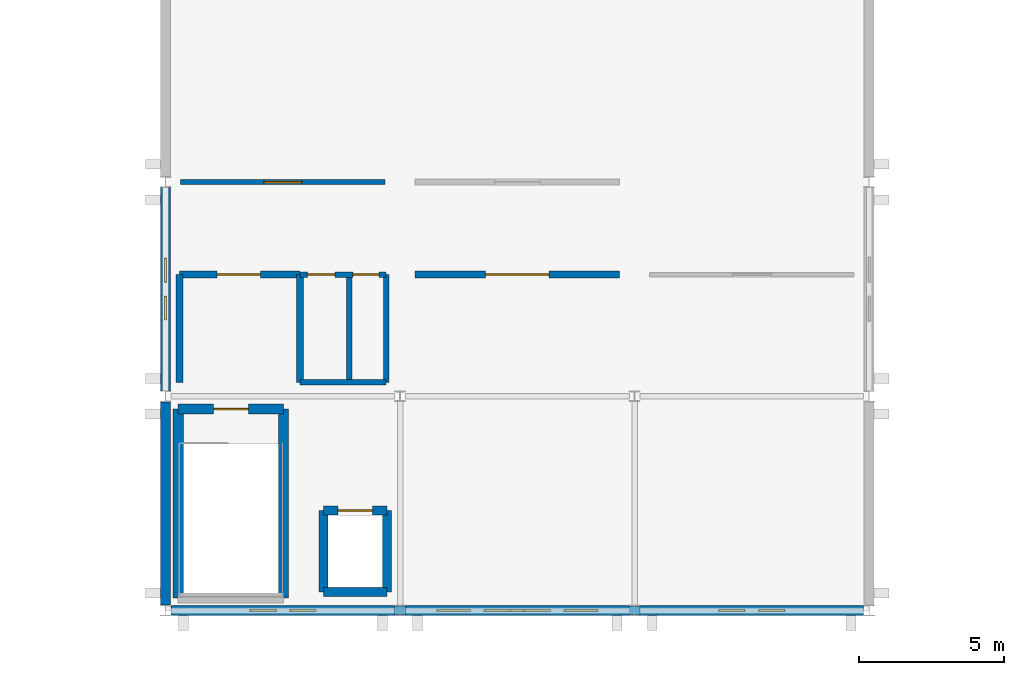
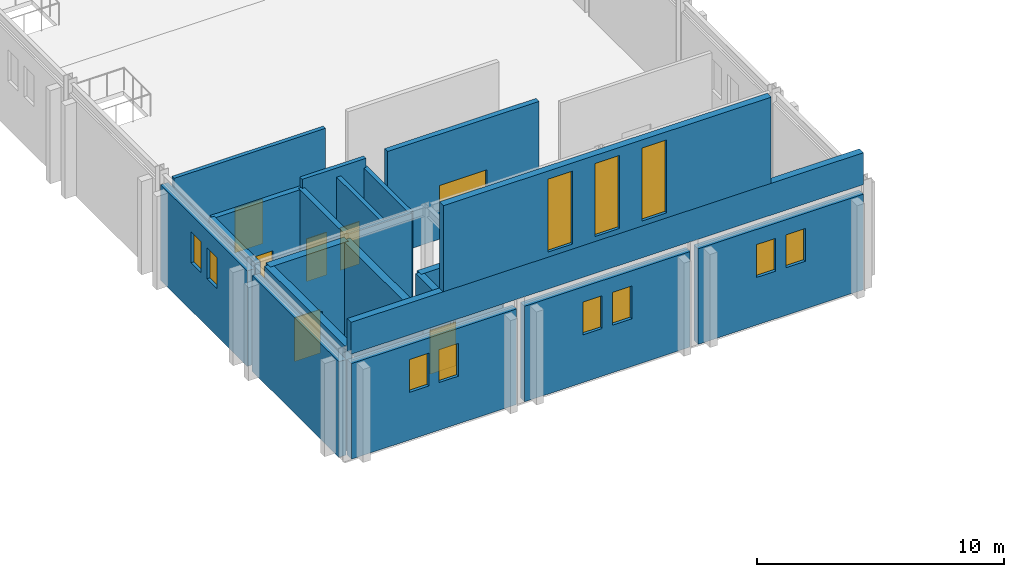
# One storey, part 6 of 10: 23 walls, 11 windows, 7 doors, 18 openings.
"""IFC4 building model written with IfcOpenShell, lengths in metres."""

import ifcopenshell
import ifcopenshell.guid

model = None  # the IFC model being written
_history = None  # IfcOwnerHistory: only IFC2X3 demands one
_inside = {}  # id of a spatial element -> (the spatial element, [elements in it])
_under = {}  # id of a project, library or spatial element -> (it, [spatial elements below it])
_declared = {}  # id of a project -> (the project, [libraries it declares])
_typed = {}  # id of a type object -> (the type object, [elements of that type])
_made_of = {}  # id of a material, layer set ... -> (it, [elements and type objects made of it])


def new_model(schema):
    """Start an empty IFC model of exactly this schema.

    Asked for "IFC4X3", IfcOpenShell would pick the latest addendum, in which some entities
    have other attributes; the version numbers below select the first issue.
    IFC2X3 requires an IfcOwnerHistory on every rooted entity: one is made here for all.
    """
    global model, _history
    if schema == "IFC4X3":
        model = ifcopenshell.file(schema_version=(4, 3, 0, 0))
    else:
        model = ifcopenshell.file(schema=schema)
    _inside.clear()
    _under.clear()
    _declared.clear()
    _typed.clear()
    _made_of.clear()
    _history = None
    if model.schema == "IFC2X3":
        org = make("IfcOrganization", Name="unknown")
        user = make(
            "IfcPersonAndOrganization",
            ThePerson=make("IfcPerson", FamilyName="unknown"),
            TheOrganization=org,
        )
        app = make(
            "IfcApplication",
            ApplicationDeveloper=org,
            Version="unknown",
            ApplicationFullName="unknown",
            ApplicationIdentifier="unknown",
        )
        _history = make(
            "IfcOwnerHistory",
            OwningUser=user,
            OwningApplication=app,
            ChangeAction="ADDED",
            CreationDate=0,
        )
    return model


def make(cls, **values):
    """One entity of the class cls with the attributes given. An attribute that is None is left unset."""
    return model.create_entity(
        cls, **{name: value for name, value in values.items() if value is not None}
    )


def rooted(cls, **values):
    """An entity with a GlobalId (a new one), such as an element, a storey or a relation."""
    return make(cls, GlobalId=ifcopenshell.guid.new(), OwnerHistory=_history, **values)


def si_unit(unit_type, name, prefix=None):
    """IfcSIUnit, for example si_unit("LENGTHUNIT", "METRE", prefix="MILLI")."""
    return make("IfcSIUnit", UnitType=unit_type, Prefix=prefix, Name=name)


def assignment(units):
    """IfcUnitAssignment: the units of a project."""
    return None if units is None else make("IfcUnitAssignment", Units=units)


def point(xyz):
    """IfcCartesianPoint."""
    return None if xyz is None else make("IfcCartesianPoint", Coordinates=xyz)


def direction(xyz):
    """IfcDirection."""
    return None if xyz is None else make("IfcDirection", DirectionRatios=xyz)


def frame(location, z_axis=None, x_axis=None):
    """IfcAxis2Placement3D, a coordinate frame: its origin and axes. An axis left out is left unset."""
    return make(
        "IfcAxis2Placement3D",
        Location=point(location),
        Axis=direction(z_axis),
        RefDirection=direction(x_axis),
    )


def frame_2d(location, x_axis=None):
    """IfcAxis2Placement2D, a coordinate frame in the plane: its origin and x axis."""
    return make(
        "IfcAxis2Placement2D", Location=point(location), RefDirection=direction(x_axis)
    )


def origin():
    """The frame at (0, 0, 0) with its axes left unset."""
    return frame((0.0, 0.0, 0.0))


def place(relative_to, where):
    """IfcLocalPlacement: puts the frame where relative to a parent placement (None: the world)."""
    return make(
        "IfcLocalPlacement", PlacementRelTo=relative_to, RelativePlacement=where
    )


def context(
    kind, dimensions, precision=None, world=None, true_north=None, identifier=None
):
    """IfcGeometricRepresentationContext, for example the 3D "Model" context."""
    return make(
        "IfcGeometricRepresentationContext",
        ContextIdentifier=identifier,
        ContextType=kind,
        CoordinateSpaceDimension=dimensions,
        Precision=precision,
        WorldCoordinateSystem=world,
        TrueNorth=true_north,
    )


def subcontext(parent, identifier, kind, view, scale=None):
    """IfcGeometricRepresentationSubContext, for example "Body" below "Model"."""
    return make(
        "IfcGeometricRepresentationSubContext",
        ContextIdentifier=identifier,
        ContextType=kind,
        ParentContext=parent,
        TargetScale=scale,
        TargetView=view,
    )


def project(units=None, contexts=None):
    """IfcProject with its units and contexts."""
    return rooted(
        "IfcProject",
        Name="project",
        RepresentationContexts=contexts,
        UnitsInContext=assignment(units),
    )


def spatial(cls, under=None, at=None, **own):
    """A site, building, storey or space (cls), placed at a placement, below another one or the project."""
    s = rooted(cls, ObjectPlacement=at, **own)
    if under is not None:
        _under.setdefault(under.id(), (under, []))[1].append(s)
    return s


def profile(cls, at=None, kind="AREA", **sizes):
    """A parametric profile (cls). Its sizes go by their IFC names, for example OverallWidth=200.0."""
    return make(cls, ProfileType=kind, Position=at, **sizes)


def rectangle(**sizes):
    """IfcRectangleProfileDef."""
    return profile("IfcRectangleProfileDef", **sizes)


def extrude(swept, where, along, depth):
    """IfcExtrudedAreaSolid: the profile swept, set in the frame where, extruded along a direction by depth."""
    return make(
        "IfcExtrudedAreaSolid",
        SweptArea=swept,
        Position=where,
        ExtrudedDirection=direction(along),
        Depth=depth,
    )


def shape(context_of_items, identifier, shape_type, items):
    """IfcShapeRepresentation: the items that make up one representation, for example the "Body"."""
    return make(
        "IfcShapeRepresentation",
        ContextOfItems=context_of_items,
        RepresentationIdentifier=identifier,
        RepresentationType=shape_type,
        Items=items,
    )


def material(Name=None, Category=None):
    """IfcMaterial."""
    return make("IfcMaterial", Name=Name, Category=Category)


def layer(
    of_material, thickness, ventilated=None, Name=None, Category=None, Priority=None
):
    """IfcMaterialLayer: one layer of a wall or slab, of a material (None: an air gap)."""
    return make(
        "IfcMaterialLayer",
        Material=of_material,
        LayerThickness=thickness,
        IsVentilated=ventilated,
        Name=Name,
        Category=Category,
        Priority=Priority,
    )


def layer_set(layers, Name=None):
    """IfcMaterialLayerSet."""
    return make("IfcMaterialLayerSet", MaterialLayers=layers, LayerSetName=Name)


def made_of(thing, what):
    """Note that an element or type object is made of a material, layer set ...; save() writes the relation."""
    if what is not None:
        _made_of.setdefault(what.id(), (what, []))[1].append(thing)
    return thing


def type_object(cls, material=None, **own):
    """A type object (cls), such as IfcWallType, which elements share."""
    return made_of(rooted(cls, **own), material)


def element(
    cls,
    number,
    at=None,
    inside=None,
    cuts=None,
    type_object=None,
    material=None,
    context=None,
    identifier="Body",
    shape_type=None,
    held_by="IfcProductDefinitionShape",
    body=None,
    shapes=None,
    **own,
):
    """One element of the class cls, such as IfcWall. Its Tag is "e" and its number.

    at: its placement. inside: the storey or other place that contains it. cuts: it is an
    opening in that element (IfcRelVoidsElement). A single representation is given by context,
    identifier, shape_type and body (its items); several are given by shapes. held_by: the class
    of the entity that holds the representations. save() writes the other relations.
    """
    e = rooted(cls, Tag="e%d" % number, ObjectPlacement=at, **own)
    if body is not None:
        shapes = [shape(context, identifier, shape_type, body)]
    if shapes is not None:
        e.Representation = make(held_by, Representations=shapes)
    if inside is not None:
        _inside.setdefault(inside.id(), (inside, []))[1].append(e)
    if cuts is not None:
        rooted(
            "IfcRelVoidsElement", RelatingBuildingElement=cuts, RelatedOpeningElement=e
        )
    if type_object is not None:
        _typed.setdefault(type_object.id(), (type_object, []))[1].append(e)
    return made_of(e, material)


def fill(opening, filler):
    """IfcRelFillsElement: the door or window that sits in an opening."""
    return rooted(
        "IfcRelFillsElement",
        RelatingOpeningElement=opening,
        RelatedBuildingElement=filler,
    )


def aggregate(whole, parts):
    """IfcRelAggregates: a whole, such as a stair, and the parts it consists of."""
    return rooted("IfcRelAggregates", RelatingObject=whole, RelatedObjects=parts)


def save(model, path):
    """Write the relations noted so far, then the file.

    IfcRelAggregates (storeys below a building ...), IfcRelContainedInSpatialStructure (elements
    in a storey), IfcRelDefinesByType, IfcRelAssociatesMaterial and IfcRelDeclares: one each for
    every whole, place, type object, material and project.
    """
    for whole, parts in _under.values():
        aggregate(whole, parts)
    for where, things in _inside.values():
        rooted(
            "IfcRelContainedInSpatialStructure",
            RelatedElements=things,
            RelatingStructure=where,
        )
    for kind, things in _typed.values():
        rooted("IfcRelDefinesByType", RelatedObjects=things, RelatingType=kind)
    for what, things in _made_of.values():
        rooted("IfcRelAssociatesMaterial", RelatedObjects=things, RelatingMaterial=what)
    for by, libraries in _declared.values():
        rooted("IfcRelDeclares", RelatingContext=by, RelatedDefinitions=libraries)
    model.write(path)


model = new_model("IFC4")

# Units and contexts
model_context = context("Model", 3, precision=1e-05, world=origin(), true_north=direction((0.0, 1.0)))
body_context = subcontext(model_context, "Body", "Model", "MODEL_VIEW")
ifc_project = project(units=[si_unit("LENGTHUNIT", "METRE"), si_unit("AREAUNIT", "SQUARE_METRE"), si_unit("VOLUMEUNIT", "CUBIC_METRE"), si_unit("PLANEANGLEUNIT", "RADIAN"), si_unit("MASSUNIT", "GRAM", prefix="KILO")], contexts=[model_context])

# Site, building, storey
site_placement = place(None, origin())
site = spatial("IfcSite", under=ifc_project, at=site_placement, CompositionType="ELEMENT")
building_placement = place(site_placement, origin())
building = spatial("IfcBuilding", under=site, at=building_placement, Name="Cimatlan Art Gallery", CompositionType="ELEMENT")
storey_placement = place(building_placement, frame((0.0, 0.0, 21.0)))
storey = spatial("IfcBuildingStorey", under=building, at=storey_placement, Name="L05", CompositionType="ELEMENT", Elevation=21.0)

# Walls
ifc_material_1 = material(Name="Concrete C40/50", Category="concrete")
ifc_layer_1 = layer(ifc_material_1, 0.31005859375)
ifc_layer_set_1 = layer_set([ifc_layer_1], Name="Concrete C40/50")
wall_type_1 = type_object("IfcWallType", Name="W-CORE-310", PredefinedType="SHEAR", material=ifc_layer_set_1)
wall_1_placement = place(storey_placement, frame((80.35009765625, 24.550048828125, 0.0), z_axis=(0.0, 0.0, 1.0), x_axis=(0.0, 1.0, 0.0)))
element("IfcWall", 1, at=wall_1_placement, inside=storey, type_object=wall_type_1, Name="WL-SHFT-C3-L05-LW", PredefinedType="SHEAR", context=body_context, shape_type="SweptSolid", body=[
    extrude(rectangle(XDim=2.800048828125, YDim=0.31005859375, at=frame_2d((1.39990234375, 0.0))), origin(), (0.0, 0.0, 1.0), 5.18505859375),
])
wall_2_placement = place(storey_placement, frame((80.35009765625, 24.550048828125, 0.0), z_axis=(0.0, 0.0, 1.0), x_axis=(1.0, 0.0, 0.0)))
element("IfcWall", 2, at=wall_2_placement, inside=storey, type_object=wall_type_1, Name="WL-SHFT-C3-L05-LS", PredefinedType="SHEAR", context=body_context, shape_type="SweptSolid", body=[
    extrude(rectangle(XDim=2.199951171875, YDim=0.31005859375, at=frame_2d((1.10009765625, 0.0))), origin(), (0.0, 0.0, 1.0), 5.18505859375),
])
wall_3_placement = place(storey_placement, frame((82.550048828125, 24.550048828125, 0.0), z_axis=(0.0, 0.0, 1.0), x_axis=(0.0, 1.0, 0.0)))
element("IfcWall", 3, at=wall_3_placement, inside=storey, type_object=wall_type_1, Name="WL-SHFT-C3-L05-LE", PredefinedType="SHEAR", context=body_context, shape_type="SweptSolid", body=[
    extrude(rectangle(XDim=2.800048828125, YDim=0.31005859375, at=frame_2d((1.39990234375, 0.0))), origin(), (0.0, 0.0, 1.0), 5.18505859375),
])

# Wall, opening, door
wall_4_placement = place(storey_placement, frame((80.35009765625, 27.35009765625, 0.0), z_axis=(0.0, 0.0, 1.0), x_axis=(1.0, 0.0, 0.0)))
wall_4 = element("IfcWall", 4, at=wall_4_placement, inside=storey, type_object=wall_type_1, Name="WL-SHFT-C3-L05-LN", PredefinedType="SHEAR", context=body_context, shape_type="SweptSolid", body=[
    extrude(rectangle(XDim=2.199951171875, YDim=0.31005859375, at=frame_2d((1.10009765625, 0.0))), origin(), (0.0, 0.0, 1.0), 5.18505859375),
])
opening_1_placement = place(wall_4_placement, frame((0.5, 0.0, 0.0)))
opening_1 = element("IfcOpeningElement", 5, at=opening_1_placement, cuts=wall_4, Name="Opening LD-C3-L05", PredefinedType="OPENING", context=body_context, shape_type="SweptSolid", body=[
    extrude(rectangle(XDim=1.199951171875, YDim=2.14990234375, at=frame_2d((0.60009765625, 1.074951171875))), frame((0.0, 0.1650390625, 0.0), z_axis=(0.0, -1.0, 0.0), x_axis=(1.0, 0.0, 0.0)), (0.0, 0.0, 1.0), 0.330078125),
])
ifc_material_2 = material(Name="Fire-rated sliding firefighting lift landing door")
door_type_1 = type_object("IfcDoorType", Name="LD-FF-1200", OperationType="NOTDEFINED", PredefinedType="DOOR", material=ifc_material_2)
door_1_placement = place(opening_1_placement, origin())
door_1 = element("IfcDoor", 6, at=door_1_placement, inside=storey, type_object=door_type_1, Name="LD-FFL-02-L05", OperationType="SLIDING_TO_LEFT", OverallHeight=2.14990234375, OverallWidth=1.199951171875, PredefinedType="DOOR", context=body_context, shape_type="SweptSolid", body=[
    extrude(rectangle(XDim=1.199951171875, YDim=2.14990234375, at=frame_2d((0.60009765625, 1.074951171875))), frame((0.0, 0.02490234375, 0.0), z_axis=(0.0, -1.0, 0.0), x_axis=(1.0, 0.0, 0.0)), (0.0, 0.0, 1.0), 0.050048828125),
])
fill(opening_1, door_1)

# Walls
ifc_layer_2 = layer(ifc_material_1, 0.35009765625)
ifc_layer_set_2 = layer_set([ifc_layer_2], Name="Concrete C40/50")
wall_type_2 = type_object("IfcWallType", Name="W-CORE-350", PredefinedType="SHEAR", material=ifc_layer_set_2)
for number, where, z_axis, x_axis, name in (
    (7, (75.340087890625, 24.340087890625, 0.0), (0.0, 0.0, 1.0), (0.0, 1.0, 0.0), "WL-CORE-C3-L05-SW"),
    (8, (78.97998046875, 24.340087890625, 0.0), (0.0, 0.0, 1.0), (0.0, 1.0, 0.0), "WL-CORE-C3-L05-SE"),
):
    element("IfcWall", number, at=place(storey_placement, frame(where, z_axis=z_axis, x_axis=x_axis)), inside=storey, type_object=wall_type_2, Name=name, PredefinedType="SHEAR", context=body_context, shape_type="SweptSolid", body=[
        extrude(rectangle(XDim=6.52001953125, YDim=0.35009765625, at=frame_2d((3.260009765625, 0.0))), origin(), (0.0, 0.0, 1.0), 5.18505859375),
    ])

# Wall, opening, door
wall_5_placement = place(storey_placement, frame((75.340087890625, 30.860107421875, 0.0), z_axis=(0.0, 0.0, 1.0), x_axis=(1.0, 0.0, 0.0)))
wall_5 = element("IfcWall", 9, at=wall_5_placement, inside=storey, type_object=wall_type_2, Name="WL-CORE-C3-L05-SN", PredefinedType="SHEAR", context=body_context, shape_type="SweptSolid", body=[
    extrude(rectangle(XDim=3.639892578125, YDim=0.35009765625, at=frame_2d((1.81982421875, 0.0))), origin(), (0.0, 0.0, 1.0), 5.18505859375),
])
opening_2_placement = place(wall_5_placement, frame((1.219970703125, 0.0, 0.0)))
opening_2 = element("IfcOpeningElement", 10, at=opening_2_placement, cuts=wall_5, Name="Opening FD-C3-L05", PredefinedType="OPENING", context=body_context, shape_type="SweptSolid", body=[
    extrude(rectangle(XDim=1.199951171875, YDim=2.14990234375, at=frame_2d((0.60009765625, 1.074951171875))), frame((0.0, 0.18505859375, 0.0), z_axis=(0.0, -1.0, 0.0), x_axis=(1.0, 0.0, 0.0)), (0.0, 0.0, 1.0), 0.3701171875),
])
ifc_material_3 = material(Name="Fire-resisting steel acoustic stair door", Category="steel")
door_type_2 = type_object("IfcDoorType", Name="FD-ST-1200", OperationType="NOTDEFINED", PredefinedType="DOOR", material=ifc_material_3)
door_2_placement = place(opening_2_placement, origin())
door_2 = element("IfcDoor", 11, at=door_2_placement, inside=storey, type_object=door_type_2, Name="DR-C3-L05-ST", OperationType="SINGLE_SWING_LEFT", OverallHeight=2.14990234375, OverallWidth=1.199951171875, PredefinedType="DOOR", context=body_context, shape_type="SweptSolid", body=[
    extrude(rectangle(XDim=1.199951171875, YDim=2.14990234375, at=frame_2d((0.60009765625, 1.074951171875))), frame((0.0, 0.02490234375, 0.0), z_axis=(0.0, -1.0, 0.0), x_axis=(1.0, 0.0, 0.0)), (0.0, 0.0, 1.0), 0.050048828125),
])
fill(opening_2, door_2)

ifc_material_4 = material(Name="Precast concrete C40/50", Category="concrete")
ifc_layer_3 = layer(ifc_material_4, 0.2451171875)
ifc_layer_set_3 = layer_set([ifc_layer_3], Name="Precast concrete C40/50")
wall_type_3 = type_object("IfcWallType", Name="W-FFL-245", PredefinedType="PARTITIONING", material=ifc_layer_set_3)
wall_6_placement = place(storey_placement, frame((75.3798828125, 35.5, 0.0), z_axis=(0.0, 0.0, 1.0), x_axis=(1.0, 0.0, 0.0)))
wall_6 = element("IfcWall", 12, at=wall_6_placement, inside=storey, type_object=wall_type_3, Name="WL-LOB-C3-L05-N", PredefinedType="PARTITIONING", context=body_context, shape_type="SweptSolid", body=[
    extrude(rectangle(XDim=4.170166015625, YDim=0.2451171875, at=frame_2d((2.0849609375, 0.0))), origin(), (0.0, 0.0, 1.0), 4.722900390625),
])
opening_3_placement = place(wall_6_placement, frame((1.300048828125, 0.0, 0.0)))
opening_3 = element("IfcOpeningElement", 13, at=opening_3_placement, cuts=wall_6, Name="Opening FDL-C3-L05", PredefinedType="OPENING", context=body_context, shape_type="SweptSolid", body=[
    extrude(rectangle(XDim=1.5, YDim=2.14990234375, at=frame_2d((0.75, 1.074951171875))), frame((0.0, 0.132568359375, 0.0), z_axis=(0.0, -1.0, 0.0), x_axis=(1.0, 0.0, 0.0)), (0.0, 0.0, 1.0), 0.26513671875),
])
ifc_material_5 = material(Name="Fire-resisting double-seal lobby door")
door_type_3 = type_object("IfcDoorType", Name="FD-LB-1500", OperationType="NOTDEFINED", PredefinedType="DOOR", material=ifc_material_5)
door_3_placement = place(opening_3_placement, origin())
door_3 = element("IfcDoor", 14, at=door_3_placement, inside=storey, type_object=door_type_3, Name="DR-LOB-C3-L05", OperationType="SINGLE_SWING_RIGHT", OverallHeight=2.14990234375, OverallWidth=1.5, PredefinedType="DOOR", context=body_context, shape_type="SweptSolid", body=[
    extrude(rectangle(XDim=1.5, YDim=2.14990234375, at=frame_2d((0.75, 1.074951171875))), frame((0.0, 0.02490234375, 0.0), z_axis=(0.0, -1.0, 0.0), x_axis=(1.0, 0.0, 0.0)), (0.0, 0.0, 1.0), 0.050048828125),
])
fill(opening_3, door_3)

# Walls
for number, where, z_axis, x_axis, name in (
    (15, (75.3798828125, 31.780029296875, 0.0), (0.0, 0.0, 1.0), (0.0, 1.0, 0.0), "WL-LOB-C3-L05-W"),
    (16, (79.550048828125, 31.780029296875, 0.0), (0.0, 0.0, 1.0), (0.0, 1.0, 0.0), "WL-LOB-C3-L05-M"),
):
    element("IfcWall", number, at=place(storey_placement, frame(where, z_axis=z_axis, x_axis=x_axis)), inside=storey, type_object=wall_type_3, Name=name, PredefinedType="PARTITIONING", context=body_context, shape_type="SweptSolid", body=[
        extrude(rectangle(XDim=3.719970703125, YDim=0.2451171875, at=frame_2d((1.85986328125, 0.0))), origin(), (0.0, 0.0, 1.0), 4.722900390625),
    ])

# Wall, opening, door
wall_7_placement = place(storey_placement, frame((83.52001953125, 35.5, 0.0), z_axis=(0.0, 0.0, 1.0), x_axis=(1.0, 0.0, 0.0)))
wall_7 = element("IfcWall", 17, at=wall_7_placement, inside=storey, type_object=wall_type_3, Name="WL-RM-L05-AST-CRW", PredefinedType="PARTITIONING", context=body_context, shape_type="SweptSolid", body=[
    extrude(rectangle(XDim=7.06005859375, YDim=0.2451171875, at=frame_2d((3.530029296875, 0.0))), origin(), (0.0, 0.0, 1.0), 5.175048828125),
])
opening_4_placement = place(wall_7_placement, frame((2.429931640625, 0.0, 0.0)))
opening_4 = element("IfcOpeningElement", 18, at=opening_4_placement, cuts=wall_7, Name="Opening DI-0274", PredefinedType="OPENING", context=body_context, shape_type="SweptSolid", body=[
    extrude(rectangle(XDim=2.199951171875, YDim=2.64990234375, at=frame_2d((1.10009765625, 1.324951171875))), frame((0.0, 0.132568359375, 0.0), z_axis=(0.0, -1.0, 0.0), x_axis=(1.0, 0.0, 0.0)), (0.0, 0.0, 1.0), 0.26513671875),
])
ifc_material_6 = material(Name="Fire-resisting large-format art-store door")
door_type_4 = type_object("IfcDoorType", Name="FD-VL-2200", OperationType="NOTDEFINED", PredefinedType="DOOR", material=ifc_material_6)
door_4_placement = place(opening_4_placement, origin())
door_4 = element("IfcDoor", 19, at=door_4_placement, inside=storey, type_object=door_type_4, Name="DR-RM-L05-AST-CRW", OperationType="SINGLE_SWING_RIGHT", OverallHeight=2.64990234375, OverallWidth=2.199951171875, PredefinedType="DOOR", context=body_context, shape_type="SweptSolid", body=[
    extrude(rectangle(XDim=2.199951171875, YDim=2.64990234375, at=frame_2d((1.10009765625, 1.324951171875))), frame((0.0, 0.02490234375, 0.0), z_axis=(0.0, -1.0, 0.0), x_axis=(1.0, 0.0, 0.0)), (0.0, 0.0, 1.0), 0.050048828125),
])
fill(opening_4, door_4)

# Walls
ifc_material_7 = material(Name="Moisture-resistant fire-rated plumbing wall")
ifc_layer_4 = layer(ifc_material_7, 0.195068359375)
ifc_layer_set_4 = layer_set([ifc_layer_4], Name="Moisture-resistant fire-rated plumbing wall")
wall_type_4 = type_object("IfcWallType", Name="W-PLM-195", PredefinedType="PARTITIONING", material=ifc_layer_set_4)
for number, where, z_axis, x_axis, name in (
    (20, (81.25, 31.780029296875, 0.0), (0.0, 0.0, 1.0), (0.0, 1.0, 0.0), "WL-LOB-C3-L05-D"),
    (21, (82.52001953125, 31.780029296875, 0.0), (0.0, 0.0, 1.0), (0.0, 1.0, 0.0), "WL-LOB-C3-L05-E"),
):
    element("IfcWall", number, at=place(storey_placement, frame(where, z_axis=z_axis, x_axis=x_axis)), inside=storey, type_object=wall_type_4, Name=name, PredefinedType="PARTITIONING", context=body_context, shape_type="SweptSolid", body=[
        extrude(rectangle(XDim=3.719970703125, YDim=0.195068359375, at=frame_2d((1.85986328125, 0.0))), origin(), (0.0, 0.0, 1.0), 4.722900390625),
    ])
wall_8_placement = place(storey_placement, frame((79.550048828125, 31.780029296875, 0.0), z_axis=(0.0, 0.0, 1.0), x_axis=(1.0, 0.0, 0.0)))
element("IfcWall", 22, at=wall_8_placement, inside=storey, type_object=wall_type_4, Name="WL-LOB-C3-L05-S", PredefinedType="PARTITIONING", context=body_context, shape_type="SweptSolid", body=[
    extrude(rectangle(XDim=2.969970703125, YDim=0.195068359375, at=frame_2d((1.48486328125, 0.0))), origin(), (0.0, 0.0, 1.0), 4.722900390625),
])

# Wall, openings, doors
wall_9_placement = place(storey_placement, frame((79.550048828125, 35.5, 0.0), z_axis=(0.0, 0.0, 1.0), x_axis=(1.0, 0.0, 0.0)))
wall_9 = element("IfcWall", 23, at=wall_9_placement, inside=storey, type_object=wall_type_4, Name="WL-WC-C3-L05-N", PredefinedType="PARTITIONING", context=body_context, shape_type="SweptSolid", body=[
    extrude(rectangle(XDim=2.969970703125, YDim=0.195068359375, at=frame_2d((1.48486328125, 0.0))), origin(), (0.0, 0.0, 1.0), 5.175048828125),
])
opening_5_placement = place(wall_9_placement, frame((0.25, 0.0, 0.0)))
opening_5 = element("IfcOpeningElement", 24, at=opening_5_placement, cuts=wall_9, Name="Opening DWC-C3A-L05", PredefinedType="OPENING", context=body_context, shape_type="SweptSolid", body=[
    extrude(rectangle(XDim=0.949951171875, YDim=2.10009765625, at=frame_2d((0.47509765625, 1.050048828125))), frame((0.0, 0.107421875, 0.0), z_axis=(0.0, -1.0, 0.0), x_axis=(1.0, 0.0, 0.0)), (0.0, 0.0, 1.0), 0.215087890625),
])
opening_6_placement = place(wall_9_placement, frame((1.820068359375, 0.0, 0.0)))
opening_6 = element("IfcOpeningElement", 25, at=opening_6_placement, cuts=wall_9, Name="Opening DWC-C3B-L05", PredefinedType="OPENING", context=body_context, shape_type="SweptSolid", body=[
    extrude(rectangle(XDim=0.89990234375, YDim=2.10009765625, at=frame_2d((0.449951171875, 1.050048828125))), frame((0.0, 0.107421875, 0.0), z_axis=(0.0, -1.0, 0.0), x_axis=(1.0, 0.0, 0.0)), (0.0, 0.0, 1.0), 0.215087890625),
])
ifc_material_8 = material(Name="Sanitary room door")
door_type_5 = type_object("IfcDoorType", Name="DI-WC-0900", OperationType="NOTDEFINED", PredefinedType="DOOR", material=ifc_material_8)
door_5_placement = place(opening_6_placement, origin())
door_5 = element("IfcDoor", 26, at=door_5_placement, inside=storey, type_object=door_type_5, Name="DR-PWC-C3-L05", OperationType="SINGLE_SWING_RIGHT", OverallHeight=2.10009765625, OverallWidth=0.89990234375, PredefinedType="DOOR", context=body_context, shape_type="SweptSolid", body=[
    extrude(rectangle(XDim=0.89990234375, YDim=2.10009765625, at=frame_2d((0.449951171875, 1.050048828125))), frame((0.0, 0.02490234375, 0.0), z_axis=(0.0, -1.0, 0.0), x_axis=(1.0, 0.0, 0.0)), (0.0, 0.0, 1.0), 0.050048828125),
])
fill(opening_6, door_5)
ifc_material_9 = material(Name="Accessible sanitary room door")
door_type_6 = type_object("IfcDoorType", Name="DI-WC-0950", OperationType="NOTDEFINED", PredefinedType="DOOR", material=ifc_material_9)
door_6_placement = place(opening_5_placement, origin())
door_6 = element("IfcDoor", 27, at=door_6_placement, inside=storey, type_object=door_type_6, Name="DR-AWC-C3-L05", OperationType="SINGLE_SWING_LEFT", OverallHeight=2.10009765625, OverallWidth=0.949951171875, PredefinedType="DOOR", context=body_context, shape_type="SweptSolid", body=[
    extrude(rectangle(XDim=0.949951171875, YDim=2.10009765625, at=frame_2d((0.47509765625, 1.050048828125))), frame((0.0, 0.02490234375, 0.0), z_axis=(0.0, -1.0, 0.0), x_axis=(1.0, 0.0, 0.0)), (0.0, 0.0, 1.0), 0.050048828125),
])
fill(opening_5, door_6)

# Wall, opening, door
ifc_material_10 = material(Name="Acoustic gypsum and steel stud partition", Category="steel")
ifc_layer_5 = layer(ifc_material_10, 0.179931640625)
ifc_layer_set_5 = layer_set([ifc_layer_5], Name="Acoustic gypsum and steel stud partition")
wall_type_5 = type_object("IfcWallType", Name="W-STD-180", PredefinedType="PARTITIONING", material=ifc_layer_set_5)
wall_10_placement = place(storey_placement, frame((75.419921875, 38.699951171875, 0.0), z_axis=(0.0, 0.0, 1.0), x_axis=(1.0, 0.0, 0.0)))
wall_10 = element("IfcWall", 28, at=wall_10_placement, inside=storey, type_object=wall_type_5, Name="WL-RM-L05-CNS-CRW", PredefinedType="PARTITIONING", context=body_context, shape_type="SweptSolid", body=[
    extrude(rectangle(XDim=7.06005859375, YDim=0.179931640625, at=frame_2d((3.530029296875, 0.0))), origin(), (0.0, 0.0, 1.0), 4.722900390625),
])
opening_7_placement = place(wall_10_placement, frame((2.8798828125, 0.0, 0.0)))
opening_7 = element("IfcOpeningElement", 29, at=opening_7_placement, cuts=wall_10, Name="Opening DI-0277", PredefinedType="OPENING", context=body_context, shape_type="SweptSolid", body=[
    extrude(rectangle(XDim=1.300048828125, YDim=2.199951171875, at=frame_2d((0.64990234375, 1.10009765625))), frame((0.0, 0.10009765625, 0.0), z_axis=(0.0, -1.0, 0.0), x_axis=(1.0, 0.0, 0.0)), (0.0, 0.0, 1.0), 0.199951171875),
])
ifc_material_11 = material(Name="Conservation laboratory double-leaf door")
door_type_7 = type_object("IfcDoorType", Name="DI-CN-1300", OperationType="NOTDEFINED", PredefinedType="DOOR", material=ifc_material_11)
door_7_placement = place(opening_7_placement, origin())
door_7 = element("IfcDoor", 30, at=door_7_placement, inside=storey, type_object=door_type_7, Name="DR-RM-L05-CNS-CRW", OperationType="SINGLE_SWING_LEFT", OverallHeight=2.199951171875, OverallWidth=1.300048828125, PredefinedType="DOOR", context=body_context, shape_type="SweptSolid", body=[
    extrude(rectangle(XDim=1.300048828125, YDim=2.199951171875, at=frame_2d((0.64990234375, 1.10009765625))), frame((0.0, 0.02490234375, 0.0), z_axis=(0.0, -1.0, 0.0), x_axis=(1.0, 0.0, 0.0)), (0.0, 0.0, 1.0), 0.050048828125),
])
fill(opening_7, door_7)

# Wall
ifc_layer_6 = layer(ifc_material_4, 0.320068359375)
ifc_layer_set_6 = layer_set([ifc_layer_6], Name="Precast concrete C40/50")
wall_type_6 = type_object("IfcWallType", Name="WL-EXT-GAB-320", PredefinedType="SOLIDWALL", material=ifc_layer_set_6)
wall_11_placement = place(storey_placement, frame((99.0029296875, 23.89990234375, 5.179931640625), z_axis=(0.0, 0.0, 1.0), x_axis=(-1.0, 0.0, 0.0)))
element("IfcWall", 31, at=wall_11_placement, inside=storey, type_object=wall_type_6, Name="WL-GABLE-V1-S", PredefinedType="SOLIDWALL", context=body_context, shape_type="SweptSolid", body=[
    extrude(rectangle(XDim=23.906005859375, YDim=0.320068359375, at=frame_2d((11.953125, 0.0))), origin(), (0.0, 0.0, 1.0), 1.570068359375),
])

# Wall, openings, windows
wall_12_placement = place(storey_placement, frame((94.699951171875, 23.89990234375, 6.75), z_axis=(0.0, 0.0, 1.0), x_axis=(-1.0, 0.0, 0.0)))
wall_12 = element("IfcWall", 32, at=wall_12_placement, inside=storey, type_object=wall_type_6, Name="WL-GABLE-HI-S", PredefinedType="SOLIDWALL", context=body_context, shape_type="SweptSolid", body=[
    extrude(rectangle(XDim=15.300048828125, YDim=0.320068359375, at=frame_2d((7.64990234375, 0.0))), origin(), (0.0, 0.0, 1.0), 4.25),
])
opening_8_placement = place(wall_12_placement, frame((4.875, 0.0, 0.25)))
opening_8 = element("IfcOpeningElement", 33, at=opening_8_placement, cuts=wall_12, Name="Opening WN-0001", PredefinedType="OPENING", context=body_context, shape_type="SweptSolid", body=[
    extrude(rectangle(XDim=1.14990234375, YDim=3.60009765625, at=frame_2d((0.574951171875, 1.800048828125))), frame((0.0, 0.169921875, 0.0), z_axis=(0.0, -1.0, 0.0), x_axis=(1.0, 0.0, 0.0)), (0.0, 0.0, 1.0), 0.340087890625),
])
opening_9_placement = place(wall_12_placement, frame((7.074951171875, 0.0, 0.25)))
opening_9 = element("IfcOpeningElement", 34, at=opening_9_placement, cuts=wall_12, Name="Opening WN-0002", PredefinedType="OPENING", context=body_context, shape_type="SweptSolid", body=[
    extrude(rectangle(XDim=1.14990234375, YDim=3.60009765625, at=frame_2d((0.574951171875, 1.800048828125))), frame((0.0, 0.169921875, 0.0), z_axis=(0.0, -1.0, 0.0), x_axis=(1.0, 0.0, 0.0)), (0.0, 0.0, 1.0), 0.340087890625),
])
opening_10_placement = place(wall_12_placement, frame((9.27490234375, 0.0, 0.25)))
opening_10 = element("IfcOpeningElement", 35, at=opening_10_placement, cuts=wall_12, Name="Opening WN-0003", PredefinedType="OPENING", context=body_context, shape_type="SweptSolid", body=[
    extrude(rectangle(XDim=1.14990234375, YDim=3.60009765625, at=frame_2d((0.574951171875, 1.800048828125))), frame((0.0, 0.169921875, 0.0), z_axis=(0.0, -1.0, 0.0), x_axis=(1.0, 0.0, 0.0)), (0.0, 0.0, 1.0), 0.340087890625),
])
ifc_material_12 = material(Name="Low-E laminated double glazing in bronze lancet frame", Category="glass")
window_type_1 = type_object("IfcWindowType", Name="WIN-GAB-S-1150X3600", PartitioningType="SINGLE_PANEL", PredefinedType="WINDOW", material=ifc_material_12)
window_1_placement = place(opening_8_placement, origin())
window_1 = element("IfcWindow", 36, at=window_1_placement, inside=storey, type_object=window_type_1, Name="WIN-0001", OverallHeight=3.60009765625, OverallWidth=1.14990234375, PartitioningType="SINGLE_PANEL", PredefinedType="WINDOW", context=body_context, shape_type="SweptSolid", body=[
    extrude(rectangle(XDim=1.14990234375, YDim=3.60009765625, at=frame_2d((0.574951171875, 1.800048828125))), frame((0.0, 0.030029296875, 0.0), z_axis=(0.0, -1.0, 0.0), x_axis=(1.0, 0.0, 0.0)), (0.0, 0.0, 1.0), 0.06005859375),
])
fill(opening_8, window_1)
window_2_placement = place(opening_9_placement, origin())
window_2 = element("IfcWindow", 37, at=window_2_placement, inside=storey, type_object=window_type_1, Name="WIN-0002", OverallHeight=3.60009765625, OverallWidth=1.14990234375, PartitioningType="SINGLE_PANEL", PredefinedType="WINDOW", context=body_context, shape_type="SweptSolid", body=[
    extrude(rectangle(XDim=1.14990234375, YDim=3.60009765625, at=frame_2d((0.574951171875, 1.800048828125))), frame((0.0, 0.030029296875, 0.0), z_axis=(0.0, -1.0, 0.0), x_axis=(1.0, 0.0, 0.0)), (0.0, 0.0, 1.0), 0.06005859375),
])
fill(opening_9, window_2)
window_3_placement = place(opening_10_placement, origin())
window_3 = element("IfcWindow", 38, at=window_3_placement, inside=storey, type_object=window_type_1, Name="WIN-0003", OverallHeight=3.60009765625, OverallWidth=1.14990234375, PartitioningType="SINGLE_PANEL", PredefinedType="WINDOW", context=body_context, shape_type="SweptSolid", body=[
    extrude(rectangle(XDim=1.14990234375, YDim=3.60009765625, at=frame_2d((0.574951171875, 1.800048828125))), frame((0.0, 0.030029296875, 0.0), z_axis=(0.0, -1.0, 0.0), x_axis=(1.0, 0.0, 0.0)), (0.0, 0.0, 1.0), 0.06005859375),
])
fill(opening_10, window_3)

ifc_layer_7 = layer(ifc_material_4, 0.340087890625)
ifc_layer_set_7 = layer_set([ifc_layer_7], Name="Precast concrete C40/50")
wall_type_7 = type_object("IfcWallType", Name="WL-EXT-STD-340", PredefinedType="SOLIDWALL", material=ifc_layer_set_7)
wall_13_placement = place(storey_placement, frame((82.8115234375, 23.89990234375, 0.0), z_axis=(0.0, 0.0, 1.0), x_axis=(-1.0, 0.0, 0.0)))
wall_13 = element("IfcWall", 39, at=wall_13_placement, inside=storey, type_object=wall_type_7, Name="WL-EXT-L05-09-03-S", PredefinedType="SOLIDWALL", context=body_context, shape_type="SweptSolid", body=[
    extrude(rectangle(XDim=7.71044921875, YDim=0.340087890625, at=frame_2d((3.855224609375, 0.0))), origin(), (0.0, 0.0, 1.0), 4.718017578125),
])
opening_11_placement = place(wall_13_placement, frame((2.715087890625, 0.0, 2.35009765625)))
opening_11 = element("IfcOpeningElement", 40, at=opening_11_placement, cuts=wall_13, Name="Opening WN-0395", PredefinedType="OPENING", context=body_context, shape_type="SweptSolid", body=[
    extrude(rectangle(XDim=0.89990234375, YDim=1.6201171875, at=frame_2d((0.449951171875, 0.81005859375))), frame((0.0, 0.18017578125, 0.0), z_axis=(0.0, -1.0, 0.0), x_axis=(1.0, 0.0, 0.0)), (0.0, 0.0, 1.0), 0.360107421875),
])
opening_12_placement = place(wall_13_placement, frame((4.09521484375, 0.0, 2.35009765625)))
opening_12 = element("IfcOpeningElement", 41, at=opening_12_placement, cuts=wall_13, Name="Opening WN-0396", PredefinedType="OPENING", context=body_context, shape_type="SweptSolid", body=[
    extrude(rectangle(XDim=0.89990234375, YDim=1.6201171875, at=frame_2d((0.449951171875, 0.81005859375))), frame((0.0, 0.18017578125, 0.0), z_axis=(0.0, -1.0, 0.0), x_axis=(1.0, 0.0, 0.0)), (0.0, 0.0, 1.0), 0.360107421875),
])
window_type_2 = type_object("IfcWindowType", Name="WIN-CLR-N-0900X1620", PartitioningType="SINGLE_PANEL", PredefinedType="WINDOW", material=ifc_material_12)
window_4_placement = place(opening_11_placement, origin())
window_4 = element("IfcWindow", 42, at=window_4_placement, inside=storey, type_object=window_type_2, Name="WIN-0395", OverallHeight=1.6201171875, OverallWidth=0.89990234375, PartitioningType="SINGLE_PANEL", PredefinedType="WINDOW", context=body_context, shape_type="SweptSolid", body=[
    extrude(rectangle(XDim=0.89990234375, YDim=1.6201171875, at=frame_2d((0.449951171875, 0.81005859375))), frame((0.0, 0.030029296875, 0.0), z_axis=(0.0, -1.0, 0.0), x_axis=(1.0, 0.0, 0.0)), (0.0, 0.0, 1.0), 0.06005859375),
])
fill(opening_11, window_4)
window_5_placement = place(opening_12_placement, origin())
window_5 = element("IfcWindow", 43, at=window_5_placement, inside=storey, type_object=window_type_2, Name="WIN-0396", OverallHeight=1.6201171875, OverallWidth=0.89990234375, PartitioningType="SINGLE_PANEL", PredefinedType="WINDOW", context=body_context, shape_type="SweptSolid", body=[
    extrude(rectangle(XDim=0.89990234375, YDim=1.6201171875, at=frame_2d((0.449951171875, 0.81005859375))), frame((0.0, 0.030029296875, 0.0), z_axis=(0.0, -1.0, 0.0), x_axis=(1.0, 0.0, 0.0)), (0.0, 0.0, 1.0), 0.06005859375),
])
fill(opening_12, window_5)

# Wall
wall_14_placement = place(storey_placement, frame((74.89990234375, 24.092041015625, 0.0), z_axis=(0.0, 0.0, 1.0), x_axis=(0.0, 1.0, 0.0)))
element("IfcWall", 44, at=wall_14_placement, inside=storey, type_object=wall_type_7, Name="WL-EXT-L05-09-03-W", PredefinedType="SOLIDWALL", context=body_context, shape_type="SweptSolid", body=[
    extrude(rectangle(XDim=7.015869140625, YDim=0.340087890625, at=frame_2d((3.5078125, 0.0))), origin(), (0.0, 0.0, 1.0), 4.718017578125),
])

# Wall, openings, windows
wall_15_placement = place(storey_placement, frame((74.89990234375, 31.491943359375, 0.0), z_axis=(0.0, 0.0, 1.0), x_axis=(0.0, 1.0, 0.0)))
wall_15 = element("IfcWall", 45, at=wall_15_placement, inside=storey, type_object=wall_type_7, Name="WL-EXT-L05-09-04-W", PredefinedType="SOLIDWALL", context=body_context, shape_type="SweptSolid", body=[
    extrude(rectangle(XDim=7.01611328125, YDim=0.340087890625, at=frame_2d((3.508056640625, 0.0))), origin(), (0.0, 0.0, 1.0), 4.718017578125),
])
opening_13_placement = place(wall_15_placement, frame((2.447998046875, 0.0, 2.35009765625)))
opening_13 = element("IfcOpeningElement", 46, at=opening_13_placement, cuts=wall_15, Name="Opening WN-0397", PredefinedType="OPENING", context=body_context, shape_type="SweptSolid", body=[
    extrude(rectangle(XDim=0.820068359375, YDim=1.5400390625, at=frame_2d((0.41015625, 0.77001953125))), frame((0.0, 0.18017578125, 0.0), z_axis=(0.0, -1.0, 0.0), x_axis=(1.0, 0.0, 0.0)), (0.0, 0.0, 1.0), 0.360107421875),
])
opening_14_placement = place(wall_15_placement, frame((3.748046875, 0.0, 2.35009765625)))
opening_14 = element("IfcOpeningElement", 47, at=opening_14_placement, cuts=wall_15, Name="Opening WN-0398", PredefinedType="OPENING", context=body_context, shape_type="SweptSolid", body=[
    extrude(rectangle(XDim=0.820068359375, YDim=1.5400390625, at=frame_2d((0.41015625, 0.77001953125))), frame((0.0, 0.18017578125, 0.0), z_axis=(0.0, -1.0, 0.0), x_axis=(1.0, 0.0, 0.0)), (0.0, 0.0, 1.0), 0.360107421875),
])
window_type_3 = type_object("IfcWindowType", Name="WIN-CLR-W-0820X1540", PartitioningType="SINGLE_PANEL", PredefinedType="WINDOW", material=ifc_material_12)
window_6_placement = place(opening_13_placement, origin())
window_6 = element("IfcWindow", 48, at=window_6_placement, inside=storey, type_object=window_type_3, Name="WIN-0397", OverallHeight=1.5400390625, OverallWidth=0.820068359375, PartitioningType="SINGLE_PANEL", PredefinedType="WINDOW", context=body_context, shape_type="SweptSolid", body=[
    extrude(rectangle(XDim=0.820068359375, YDim=1.5400390625, at=frame_2d((0.41015625, 0.77001953125))), frame((0.0, 0.030029296875, 0.0), z_axis=(0.0, -1.0, 0.0), x_axis=(1.0, 0.0, 0.0)), (0.0, 0.0, 1.0), 0.06005859375),
])
fill(opening_13, window_6)
window_7_placement = place(opening_14_placement, origin())
window_7 = element("IfcWindow", 49, at=window_7_placement, inside=storey, type_object=window_type_3, Name="WIN-0398", OverallHeight=1.5400390625, OverallWidth=0.820068359375, PartitioningType="SINGLE_PANEL", PredefinedType="WINDOW", context=body_context, shape_type="SweptSolid", body=[
    extrude(rectangle(XDim=0.820068359375, YDim=1.5400390625, at=frame_2d((0.41015625, 0.77001953125))), frame((0.0, 0.030029296875, 0.0), z_axis=(0.0, -1.0, 0.0), x_axis=(1.0, 0.0, 0.0)), (0.0, 0.0, 1.0), 0.06005859375),
])
fill(opening_14, window_7)

wall_16_placement = place(storey_placement, frame((90.91162109375, 23.89990234375, 0.0), z_axis=(0.0, 0.0, 1.0), x_axis=(-1.0, 0.0, 0.0)))
wall_16 = element("IfcWall", 50, at=wall_16_placement, inside=storey, type_object=wall_type_7, Name="WL-EXT-L05-10-03-S", PredefinedType="SOLIDWALL", context=body_context, shape_type="SweptSolid", body=[
    extrude(rectangle(XDim=7.72314453125, YDim=0.340087890625, at=frame_2d((3.861572265625, 0.0))), origin(), (0.0, 0.0, 1.0), 4.718017578125),
])
opening_15_placement = place(wall_16_placement, frame((2.721435546875, 0.0, 2.35009765625)))
opening_15 = element("IfcOpeningElement", 51, at=opening_15_placement, cuts=wall_16, Name="Opening WN-0407", PredefinedType="OPENING", context=body_context, shape_type="SweptSolid", body=[
    extrude(rectangle(XDim=0.89990234375, YDim=1.6201171875, at=frame_2d((0.449951171875, 0.81005859375))), frame((0.0, 0.18017578125, 0.0), z_axis=(0.0, -1.0, 0.0), x_axis=(1.0, 0.0, 0.0)), (0.0, 0.0, 1.0), 0.360107421875),
])
opening_16_placement = place(wall_16_placement, frame((4.1015625, 0.0, 2.35009765625)))
opening_16 = element("IfcOpeningElement", 52, at=opening_16_placement, cuts=wall_16, Name="Opening WN-0408", PredefinedType="OPENING", context=body_context, shape_type="SweptSolid", body=[
    extrude(rectangle(XDim=0.89990234375, YDim=1.6201171875, at=frame_2d((0.449951171875, 0.81005859375))), frame((0.0, 0.18017578125, 0.0), z_axis=(0.0, -1.0, 0.0), x_axis=(1.0, 0.0, 0.0)), (0.0, 0.0, 1.0), 0.360107421875),
])
window_8_placement = place(opening_15_placement, origin())
window_8 = element("IfcWindow", 53, at=window_8_placement, inside=storey, type_object=window_type_2, Name="WIN-0407", OverallHeight=1.6201171875, OverallWidth=0.89990234375, PartitioningType="SINGLE_PANEL", PredefinedType="WINDOW", context=body_context, shape_type="SweptSolid", body=[
    extrude(rectangle(XDim=0.89990234375, YDim=1.6201171875, at=frame_2d((0.449951171875, 0.81005859375))), frame((0.0, 0.030029296875, 0.0), z_axis=(0.0, -1.0, 0.0), x_axis=(1.0, 0.0, 0.0)), (0.0, 0.0, 1.0), 0.06005859375),
])
fill(opening_15, window_8)
window_9_placement = place(opening_16_placement, origin())
window_9 = element("IfcWindow", 54, at=window_9_placement, inside=storey, type_object=window_type_2, Name="WIN-0408", OverallHeight=1.6201171875, OverallWidth=0.89990234375, PartitioningType="SINGLE_PANEL", PredefinedType="WINDOW", context=body_context, shape_type="SweptSolid", body=[
    extrude(rectangle(XDim=0.89990234375, YDim=1.6201171875, at=frame_2d((0.449951171875, 0.81005859375))), frame((0.0, 0.030029296875, 0.0), z_axis=(0.0, -1.0, 0.0), x_axis=(1.0, 0.0, 0.0)), (0.0, 0.0, 1.0), 0.06005859375),
])
fill(opening_16, window_9)

wall_17_placement = place(storey_placement, frame((98.9990234375, 23.89990234375, 0.0), z_axis=(0.0, 0.0, 1.0), x_axis=(-1.0, 0.0, 0.0)))
wall_17 = element("IfcWall", 55, at=wall_17_placement, inside=storey, type_object=wall_type_7, Name="WL-EXT-L05-11-03-S", PredefinedType="SOLIDWALL", context=body_context, shape_type="SweptSolid", body=[
    extrude(rectangle(XDim=7.71044921875, YDim=0.340087890625, at=frame_2d((3.855224609375, 0.0))), origin(), (0.0, 0.0, 1.0), 4.718017578125),
])
opening_17_placement = place(wall_17_placement, frame((2.715087890625, 0.0, 2.35009765625)))
opening_17 = element("IfcOpeningElement", 56, at=opening_17_placement, cuts=wall_17, Name="Opening WN-0411", PredefinedType="OPENING", context=body_context, shape_type="SweptSolid", body=[
    extrude(rectangle(XDim=0.89990234375, YDim=1.6201171875, at=frame_2d((0.449951171875, 0.81005859375))), frame((0.0, 0.18017578125, 0.0), z_axis=(0.0, -1.0, 0.0), x_axis=(1.0, 0.0, 0.0)), (0.0, 0.0, 1.0), 0.360107421875),
])
opening_18_placement = place(wall_17_placement, frame((4.09521484375, 0.0, 2.35009765625)))
opening_18 = element("IfcOpeningElement", 57, at=opening_18_placement, cuts=wall_17, Name="Opening WN-0412", PredefinedType="OPENING", context=body_context, shape_type="SweptSolid", body=[
    extrude(rectangle(XDim=0.89990234375, YDim=1.6201171875, at=frame_2d((0.449951171875, 0.81005859375))), frame((0.0, 0.18017578125, 0.0), z_axis=(0.0, -1.0, 0.0), x_axis=(1.0, 0.0, 0.0)), (0.0, 0.0, 1.0), 0.360107421875),
])
window_10_placement = place(opening_17_placement, origin())
window_10 = element("IfcWindow", 58, at=window_10_placement, inside=storey, type_object=window_type_2, Name="WIN-0411", OverallHeight=1.6201171875, OverallWidth=0.89990234375, PartitioningType="SINGLE_PANEL", PredefinedType="WINDOW", context=body_context, shape_type="SweptSolid", body=[
    extrude(rectangle(XDim=0.89990234375, YDim=1.6201171875, at=frame_2d((0.449951171875, 0.81005859375))), frame((0.0, 0.030029296875, 0.0), z_axis=(0.0, -1.0, 0.0), x_axis=(1.0, 0.0, 0.0)), (0.0, 0.0, 1.0), 0.06005859375),
])
fill(opening_17, window_10)
window_11_placement = place(opening_18_placement, origin())
window_11 = element("IfcWindow", 59, at=window_11_placement, inside=storey, type_object=window_type_2, Name="WIN-0412", OverallHeight=1.6201171875, OverallWidth=0.89990234375, PartitioningType="SINGLE_PANEL", PredefinedType="WINDOW", context=body_context, shape_type="SweptSolid", body=[
    extrude(rectangle(XDim=0.89990234375, YDim=1.6201171875, at=frame_2d((0.449951171875, 0.81005859375))), frame((0.0, 0.030029296875, 0.0), z_axis=(0.0, -1.0, 0.0), x_axis=(1.0, 0.0, 0.0)), (0.0, 0.0, 1.0), 0.06005859375),
])
fill(opening_18, window_11)

save(model, "model.ifc")
